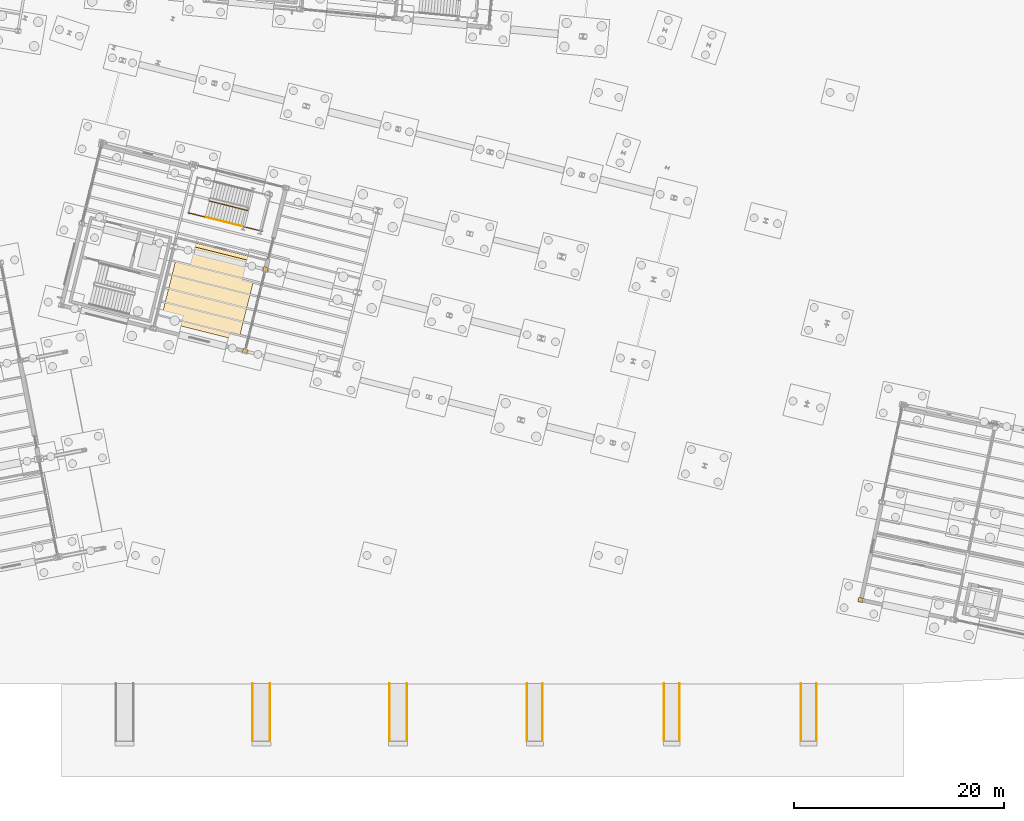
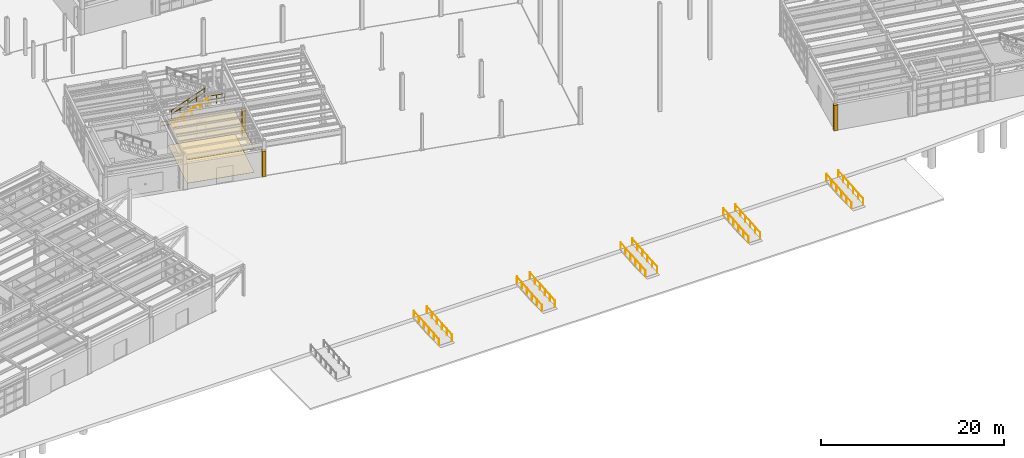
# One storey, part 101 of 108: 14 railings, 5 coverings.
"""IFC4 building model written with IfcOpenShell, lengths in metres."""

from ifc_helpers import new_model, si_unit, direction, frame, origin, origin_2d, place, context, subcontext, project, spatial, polyline, rectangle, circle, outline, extrude, material, layer, layer_set, type_object, element, save


model = new_model("IFC4")

# Units and contexts
model_context = context("Model", 3, precision=1e-05, world=origin(), true_north=direction((0.0, 1.0)))
body_context = subcontext(model_context, "Body", "Model", "MODEL_VIEW")
ifc_project = project(units=[si_unit("LENGTHUNIT", "METRE"), si_unit("AREAUNIT", "SQUARE_METRE"), si_unit("VOLUMEUNIT", "CUBIC_METRE"), si_unit("PLANEANGLEUNIT", "RADIAN"), si_unit("MASSUNIT", "GRAM", prefix="KILO")], contexts=[model_context])

# Site, building, storey
site_placement = place(None, origin())
site = spatial("IfcSite", under=ifc_project, at=site_placement, CompositionType="ELEMENT")
building_placement = place(site_placement, origin())
building = spatial("IfcBuilding", under=site, at=building_placement, Name="Vireo Bluff Cable Station", CompositionType="ELEMENT")
storey_placement = place(building_placement, origin())
storey = spatial("IfcBuildingStorey", under=building, at=storey_placement, Name="L00", CompositionType="ELEMENT", Elevation=0.0)

# Coverings
ifc_material_1 = material(Name="Perforated Acoustic Metal Ceiling")
ifc_layer_1 = layer(ifc_material_1, 0.034912109375, Name="Perforated Acoustic Metal Ceiling")
ifc_layer_set_1 = layer_set([ifc_layer_1], Name="Perforated Acoustic Metal Ceiling")
covering_type_1 = type_object("IfcCoveringType", Name="CEILING-ACOUSTIC-35", PredefinedType="CEILING", material=ifc_layer_set_1)
covering_1_placement = place(storey_placement, frame((0.0, 0.0, 3.1201171875)))
element("IfcCovering", 1, at=covering_1_placement, inside=storey, type_object=covering_type_1, Name="V1 L00 Passenger Information Desk acoustic ceiling", PredefinedType="CEILING", context=body_context, shape_type="SweptSolid", body=[
    extrude(outline(polyline([(63.42333984375, 36.526611328125), (70.84619140625, 34.67578125), (72.779052734375, 42.428466796875), (65.3564453125, 44.279052734375), (63.42333984375, 36.526611328125)])), origin(), (0.0, 0.0, 1.0), 0.034912109375),
])
ifc_material_2 = material(Name="Precast concrete f'c 45 MPa", Category="concrete")
ifc_layer_2 = layer(ifc_material_2, 0.0400390625, Name="Precast concrete f'c 45 MPa")
ifc_layer_set_2 = layer_set([ifc_layer_2], Name="Precast concrete f'c 45 MPa")
covering_type_2 = type_object("IfcCoveringType", Name="COL-CLOSURE-WRAP", PredefinedType="CLADDING", material=ifc_layer_set_2)
for number, where, z_axis, x_axis, name in (
    (2, (71.443603515625, 33.65087890625, 0.0), (0.0, 0.0, 1.0), (0.970295726276, -0.2419218956, 0.0), "V1 L00 column pocket closure"),
    (3, (73.407958984375, 41.437255859375, 0.0), (0.0, 0.0, 1.0), (0.970295726276, -0.2419218956, 0.0), "V1 L00 column pocket closure"),
    (4, (129.95166015625, 10.01025390625, 0.0), (0.0, 0.0, 1.0), (0.978147600734, -0.207911690818, 0.0), "V5E L00 column pocket closure"),
):
    element("IfcCovering", number, at=place(storey_placement, frame(where, z_axis=z_axis, x_axis=x_axis)), inside=storey, type_object=covering_type_2, Name=name, PredefinedType="CLADDING", context=body_context, shape_type="SweptSolid", body=[
        extrude(rectangle(XDim=0.43994140625, YDim=0.43994140625, at=origin_2d()), origin(), (0.0, 0.0, 1.0), 3.39990234375),
    ])

# Railings
ifc_material_3 = material(Name="Stainless Steel 316", Category="steel")
railing_type_1 = type_object("IfcRailingType", Name="EXT-HANDRAIL-900", PredefinedType="HANDRAIL", material=ifc_material_3)
for number, where, name in (
    (5, (73.827880859375, -3.39990234375, -0.449951171875), "RMP-02 ramp handrail L"),
    (6, (72.172119140625, -3.39990234375, -0.449951171875), "RMP-02 ramp handrail R"),
    (7, (86.827880859375, -3.39990234375, -0.449951171875), "RMP-03 ramp handrail L"),
    (8, (85.172119140625, -3.39990234375, -0.449951171875), "RMP-03 ramp handrail R"),
    (9, (99.736083984375, -3.39990234375, -0.449951171875), "RMP-04 ramp handrail L"),
    (10, (98.263916015625, -3.39990234375, -0.449951171875), "RMP-04 ramp handrail R"),
    (11, (112.736083984375, -3.39990234375, -0.449951171875), "RMP-05 ramp handrail L"),
    (12, (111.263916015625, -3.39990234375, -0.449951171875), "RMP-05 ramp handrail R"),
    (13, (125.736083984375, -3.39990234375, -0.449951171875), "RMP-06 ramp handrail L"),
    (14, (124.263916015625, -3.39990234375, -0.449951171875), "RMP-06 ramp handrail R"),
):
    element("IfcRailing", number, at=place(storey_placement, frame(where)), inside=storey, type_object=railing_type_1, Name=name, PredefinedType="HANDRAIL", context=body_context, shape_type="SweptSolid", body=[
        extrude(circle(Radius=0.02392578125, at=origin_2d()), frame((0.0, 0.0, 0.8759765625), z_axis=(0.0, 0.996609199274, 0.082280641234), x_axis=(-1.0, 0.0, 0.0)), (0.0, 0.0, 1.0), 5.468505859375),
        extrude(circle(Radius=0.02099609375, at=origin_2d()), origin(), (0.0, 0.0, 1.0), 0.851806640625),
        extrude(circle(Radius=0.02099609375, at=origin_2d()), frame((0.0, 1.090087890625, 0.090087890625)), (0.0, 0.0, 1.0), 0.851806640625),
        extrude(circle(Radius=0.02099609375, at=origin_2d()), frame((0.0, 2.179931640625, 0.179931640625)), (0.0, 0.0, 1.0), 0.851806640625),
        extrude(circle(Radius=0.02099609375, at=origin_2d()), frame((0.0, 3.27001953125, 0.27001953125)), (0.0, 0.0, 1.0), 0.851806640625),
        extrude(circle(Radius=0.02099609375, at=origin_2d()), frame((0.0, 4.35986328125, 0.35986328125)), (0.0, 0.0, 1.0), 0.851806640625),
        extrude(circle(Radius=0.02099609375, at=origin_2d()), frame((0.0, 5.449951171875, 0.449951171875)), (0.0, 0.0, 1.0), 0.851806640625),
    ])

# Covering
ifc_material_4 = material(Name="Polished Terrazzo Flooring")
ifc_layer_3 = layer(ifc_material_4, 0.030029296875, Name="Polished Terrazzo Flooring")
ifc_layer_set_3 = layer_set([ifc_layer_3], Name="Polished Terrazzo Flooring")
covering_type_3 = type_object("IfcCoveringType", Name="FLOORING-TERRAZZO-30", PredefinedType="FLOORING", material=ifc_layer_set_3)
covering_2_placement = place(storey_placement, origin())
element("IfcCovering", 15, at=covering_2_placement, inside=storey, type_object=covering_type_3, Name="V1 L00 Passenger Information Desk terrazzo finish", PredefinedType="FLOORING", context=body_context, shape_type="SweptSolid", body=[
    extrude(outline(polyline([(63.42333984375, 36.526611328125), (70.84619140625, 34.67578125), (72.684814453125, 42.050048828125), (65.261962890625, 43.900634765625), (63.42333984375, 36.526611328125)])), origin(), (0.0, 0.0, 1.0), 0.030029296875),
])

# Railings
railing_type_2 = type_object("IfcRailingType", Name="STAIR-GUARD-1100", PredefinedType="GUARDRAIL", material=ifc_material_3)
railing_1_placement = place(storey_placement, frame((68.048583984375, 47.92626953125, 0.17138671875)))
element("IfcRailing", 16, at=railing_1_placement, inside=storey, type_object=railing_type_2, Name="L00 ST-10 stair guard 1", PredefinedType="GUARDRAIL", context=body_context, shape_type="SweptSolid", body=[
    extrude(circle(Radius=0.02392578125, at=origin_2d()), frame((0.0, 0.0, 1.076171875), z_axis=(0.835287278934, -0.208264366931, 0.50884291792), x_axis=(0.241926114739, 0.970294674317, 0.0)), (0.0, 0.0, 1.0), 4.379638671875),
    extrude(circle(Radius=0.02392578125, at=origin_2d()), frame((0.0, 0.0, 0.550048828125), z_axis=(0.835287278934, -0.208264366931, 0.50884291792), x_axis=(0.241926114739, 0.970294674317, 0.0)), (0.0, 0.0, 1.0), 4.379638671875),
    extrude(circle(Radius=0.02099609375, at=origin_2d()), origin(), (0.0, 0.0, 1.0), 1.052001953125),
    extrude(circle(Radius=0.02099609375, at=origin_2d()), frame((0.91455078125, -0.22802734375, 0.55712890625)), (0.0, 0.0, 1.0), 1.052001953125),
    extrude(circle(Radius=0.02099609375, at=origin_2d()), frame((1.8291015625, -0.4560546875, 1.1142578125)), (0.0, 0.0, 1.0), 1.052001953125),
    extrude(circle(Radius=0.02099609375, at=origin_2d()), frame((2.74365234375, -0.68408203125, 1.67138671875)), (0.0, 0.0, 1.0), 1.052001953125),
    extrude(circle(Radius=0.02099609375, at=origin_2d()), frame((3.658203125, -0.912109375, 2.228515625)), (0.0, 0.0, 1.0), 1.052001953125),
])
railing_2_placement = place(storey_placement, frame((71.324462890625, 45.48095703125, 2.39990234375)))
element("IfcRailing", 17, at=railing_2_placement, inside=storey, type_object=railing_type_2, Name="L00 ST-10 stair guard 3", PredefinedType="GUARDRAIL", context=body_context, shape_type="SweptSolid", body=[
    extrude(circle(Radius=0.02392578125, at=origin_2d()), frame((0.0, 0.0, 1.076171875), z_axis=(0.970317771018, -0.241833461801, 0.0), x_axis=(0.241833461801, 0.970317771018, 0.0)), (0.0, 0.0, 1.0), 1.800048828125),
    extrude(circle(Radius=0.02392578125, at=origin_2d()), frame((0.0, 0.0, 0.550048828125), z_axis=(0.970317771018, -0.241833461801, 0.0), x_axis=(0.241833461801, 0.970317771018, 0.0)), (0.0, 0.0, 1.0), 1.800048828125),
    extrude(circle(Radius=0.02099609375, at=origin_2d()), origin(), (0.0, 0.0, 1.0), 1.052001953125),
    extrude(circle(Radius=0.02099609375, at=origin_2d()), frame((0.873291015625, -0.2177734375, 0.0)), (0.0, 0.0, 1.0), 1.052001953125),
    extrude(circle(Radius=0.02099609375, at=origin_2d()), frame((1.74658203125, -0.435302734375, 0.0)), (0.0, 0.0, 1.0), 1.052001953125),
])
railing_3_placement = place(storey_placement, frame((66.036376953125, 46.799560546875, 0.0)))
element("IfcRailing", 18, at=railing_3_placement, inside=storey, type_object=railing_type_2, Name="L00 ST-10 stair guard 8", PredefinedType="GUARDRAIL", context=body_context, shape_type="SweptSolid", body=[
    extrude(circle(Radius=0.02392578125, at=origin_2d()), frame((0.0, 0.0, 1.076171875), z_axis=(0.970287643911, -0.241954309887, 0.0), x_axis=(0.241954309887, 0.970287643911, 0.0)), (0.0, 0.0, 1.0), 1.679931640625),
    extrude(circle(Radius=0.02392578125, at=origin_2d()), frame((0.0, 0.0, 0.550048828125), z_axis=(0.970287643911, -0.241954309887, 0.0), x_axis=(0.241954309887, 0.970287643911, 0.0)), (0.0, 0.0, 1.0), 1.679931640625),
    extrude(circle(Radius=0.02099609375, at=origin_2d()), origin(), (0.0, 0.0, 1.0), 1.052001953125),
    extrude(circle(Radius=0.02099609375, at=origin_2d()), frame((0.81494140625, -0.203125, 0.0)), (0.0, 0.0, 1.0), 1.052001953125),
    extrude(circle(Radius=0.02099609375, at=origin_2d()), frame((1.630126953125, -0.406494140625, 0.0)), (0.0, 0.0, 1.0), 1.052001953125),
])
railing_type_3 = type_object("IfcRailingType", Name="STAIR-HANDRAIL-900", PredefinedType="HANDRAIL", material=ifc_material_3)
railing_4_placement = place(storey_placement, frame((67.66650390625, 46.39306640625, 0.17138671875)))
element("IfcRailing", 19, at=railing_4_placement, inside=storey, type_object=railing_type_3, Name="L00 ST-10 stair handrail 1", PredefinedType="HANDRAIL", context=body_context, shape_type="SweptSolid", body=[
    extrude(circle(Radius=0.02392578125, at=origin_2d()), frame((0.0, 0.0, 0.8759765625), z_axis=(0.835270426229, -0.208274064766, 0.508866612202), x_axis=(0.241941316319, 0.97029088394, 0.0)), (0.0, 0.0, 1.0), 4.37939453125),
    extrude(circle(Radius=0.02099609375, at=origin_2d()), origin(), (0.0, 0.0, 1.0), 0.851806640625),
    extrude(circle(Radius=0.02099609375, at=origin_2d()), frame((0.91455078125, -0.22802734375, 0.55712890625)), (0.0, 0.0, 1.0), 0.851806640625),
    extrude(circle(Radius=0.02099609375, at=origin_2d()), frame((1.8291015625, -0.4560546875, 1.1142578125)), (0.0, 0.0, 1.0), 0.851806640625),
    extrude(circle(Radius=0.02099609375, at=origin_2d()), frame((2.743408203125, -0.68408203125, 1.67138671875)), (0.0, 0.0, 1.0), 0.851806640625),
    extrude(circle(Radius=0.02099609375, at=origin_2d()), frame((3.657958984375, -0.912109375, 2.228515625)), (0.0, 0.0, 1.0), 0.851806640625),
])

save(model, "model.ifc")
